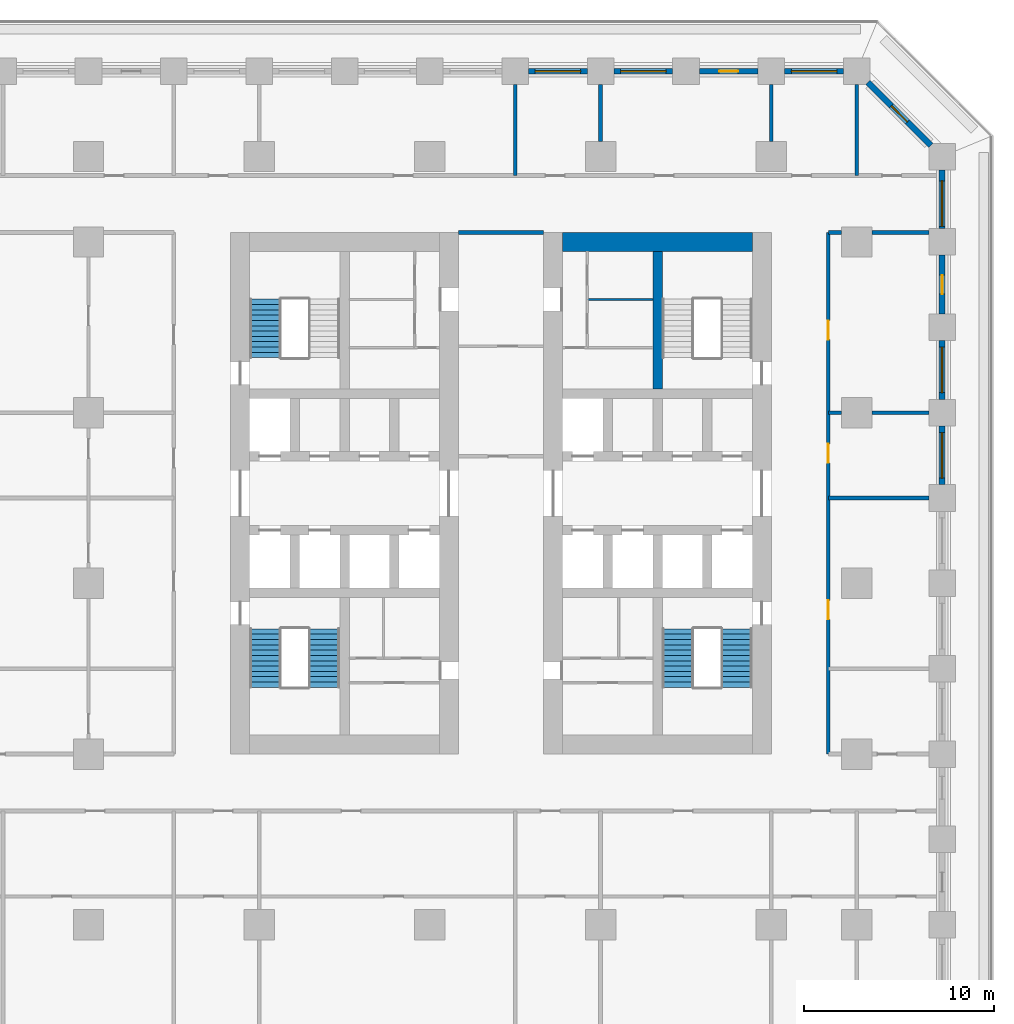
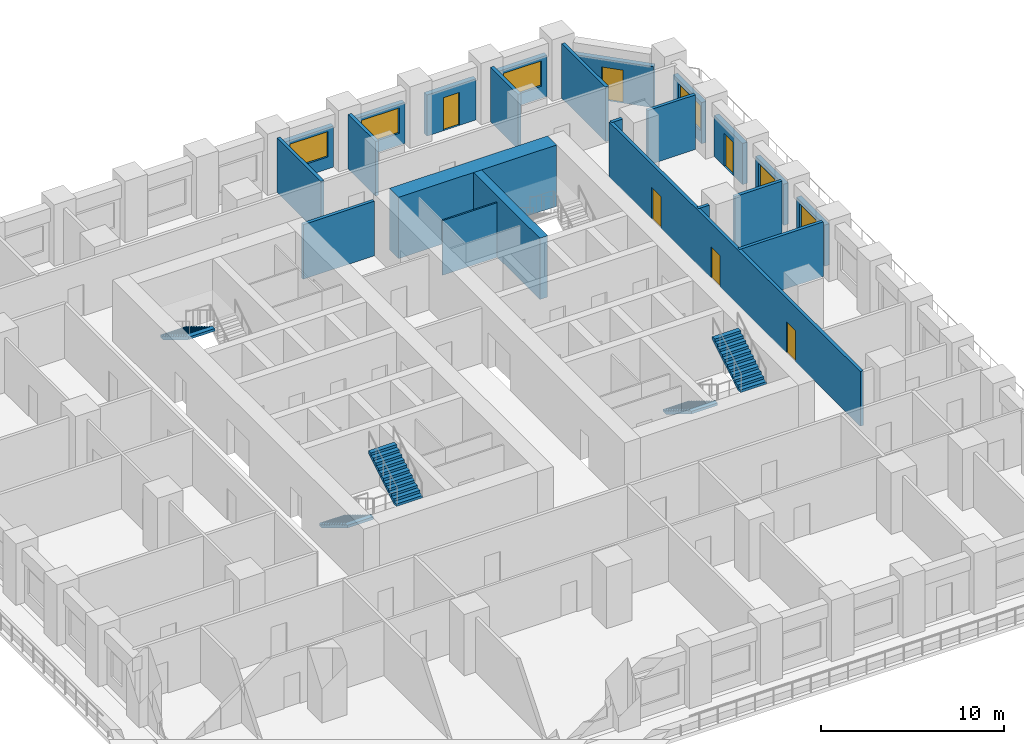
# One storey, part 8 of 12: 23 walls, 6 doors, 6 windows, 5 stair flights, 12 openings, 3 elements without a shape of their own.
"""IFC4 building model written with IfcOpenShell, lengths in metres."""

from ifc_helpers import new_model, si_unit, direction, frame, frame_2d, origin, place, context, subcontext, project, spatial, polyline, rectangle, outline, extrude, material, layer, layer_set, type_object, element, fill, aggregate, save


model = new_model("IFC4")

# Units and contexts
model_context = context("Model", 3, precision=1e-05, world=origin(), true_north=direction((0.0, 1.0)))
body_context = subcontext(model_context, "Body", "Model", "MODEL_VIEW")
ifc_project = project(units=[si_unit("LENGTHUNIT", "METRE"), si_unit("AREAUNIT", "SQUARE_METRE"), si_unit("VOLUMEUNIT", "CUBIC_METRE"), si_unit("PLANEANGLEUNIT", "RADIAN"), si_unit("MASSUNIT", "GRAM", prefix="KILO")], contexts=[model_context])

# Site, building, storey
site_placement = place(None, origin())
site = spatial("IfcSite", under=ifc_project, at=site_placement, CompositionType="ELEMENT")
building_placement = place(site_placement, origin())
building = spatial("IfcBuilding", under=site, at=building_placement, Name="Corbel Stack Research Tower", CompositionType="ELEMENT")
storey_placement = place(building_placement, frame((0.0, 0.0, 27.699951171875)))
storey = spatial("IfcBuildingStorey", under=building, at=storey_placement, Name="L06", CompositionType="ELEMENT", Elevation=27.699951171875)

# Walls
ifc_material_1 = material(Name="Concrete C70/85", Category="concrete")
ifc_layer_1 = layer(ifc_material_1, 1.0)
ifc_layer_set_1 = layer_set([ifc_layer_1], Name="Concrete C70/85")
wall_type_1 = type_object("IfcWallType", Name="CW-1000-70", PredefinedType="SHEAR", material=ifc_layer_set_1)
wall_1_placement = place(storey_placement, frame((7.0, 18.0, 0.0), z_axis=(0.0, 0.0, 1.0), x_axis=(1.0, 0.0, 0.0)))
element("IfcWall", 1, at=wall_1_placement, inside=storey, type_object=wall_type_1, Name="East core wall, north end L06", PredefinedType="SHEAR", context=body_context, shape_type="SweptSolid", body=[
    extrude(rectangle(XDim=10.0, YDim=1.0, at=frame_2d((5.0, 0.0))), origin(), (0.0, 0.0, 1.0), 4.10009765625),
])
ifc_material_2 = material(Name="Concrete C70/85", Category="concrete")
ifc_layer_2 = layer(ifc_material_2, 0.5)
ifc_layer_set_2 = layer_set([ifc_layer_2], Name="Concrete C70/85")
wall_type_2 = type_object("IfcWallType", Name="CW-500-70", PredefinedType="SHEAR", material=ifc_layer_set_2)
wall_2_placement = place(storey_placement, frame((12.0, 10.25, 0.0), z_axis=(0.0, 0.0, 1.0), x_axis=(0.0, 1.0, 0.0)))
element("IfcWall", 2, at=wall_2_placement, inside=storey, type_object=wall_type_2, Name="East core wall, north stair and riser L06", PredefinedType="SHEAR", context=body_context, shape_type="SweptSolid", body=[
    extrude(rectangle(XDim=7.25, YDim=0.5, at=frame_2d((3.625, 0.0))), origin(), (0.0, 0.0, 1.0), 4.10009765625),
])
ifc_material_3 = material(Name="Gypsum board")
ifc_layer_3 = layer(ifc_material_3, 0.10009765625)
ifc_layer_set_3 = layer_set([ifc_layer_3], Name="Gypsum board")
wall_type_3 = type_object("IfcWallType", Name="Core partition 100", PredefinedType="PARTITIONING", material=ifc_layer_set_3)
wall_3_placement = place(storey_placement, frame((8.300048828125, 14.96240234375, 0.0), z_axis=(0.0, 0.0, 1.0), x_axis=(1.0, 0.0, 0.0)))
element("IfcWall", 3, at=wall_3_placement, inside=storey, type_object=wall_type_3, Name="Core partition E", PredefinedType="PARTITIONING", context=body_context, shape_type="SweptSolid", body=[
    extrude(rectangle(XDim=3.449951171875, YDim=0.10009765625, at=frame_2d((1.72509765625, 0.0))), origin(), (0.0, 0.0, 1.0), 3.650146484375),
])
ifc_material_4 = material(Name="Fire-rated gypsum board partition on steel studs", Category="steel")
ifc_layer_4 = layer(ifc_material_4, 0.199951171875)
ifc_layer_set_4 = layer_set([ifc_layer_4], Name="Fire-rated gypsum board partition on steel studs")
wall_type_4 = type_object("IfcWallType", Name="Fire-rated partition 200 EI 60", PredefinedType="PARTITIONING", material=ifc_layer_set_4)
wall_4_placement = place(storey_placement, frame((4.5, 21.5, 0.0), z_axis=(0.0, 0.0, 1.0), x_axis=(0.0, 1.0, 0.0)))
element("IfcWall", 4, at=wall_4_placement, inside=storey, type_object=wall_type_4, Name="Partition L06-013", PredefinedType="PARTITIONING", context=body_context, shape_type="SweptSolid", body=[
    extrude(rectangle(XDim=4.800048828125, YDim=0.199951171875, at=frame_2d((2.39990234375, 0.0))), origin(), (0.0, 0.0, 1.0), 3.650146484375),
])
for number, where, z_axis, x_axis, name in (
    (5, (9.0, 23.300048828125, 0.0), (0.0, 0.0, 1.0), (0.0, 1.0, 0.0), "Partition L06-016"),
    (6, (18.0, 23.300048828125, 0.0), (0.0, 0.0, 1.0), (0.0, 1.0, 0.0), "Partition L06-019"),
):
    element("IfcWall", number, at=place(storey_placement, frame(where, z_axis=z_axis, x_axis=x_axis)), inside=storey, type_object=wall_type_4, Name=name, PredefinedType="PARTITIONING", context=body_context, shape_type="SweptSolid", body=[
        extrude(rectangle(XDim=3.0, YDim=0.199951171875, at=frame_2d((1.5, 0.0))), origin(), (0.0, 0.0, 1.0), 3.650146484375),
    ])

# Wall, openings, doors
wall_5_placement = place(storey_placement, frame((21.0, 18.5, 0.0), z_axis=(0.0, 0.0, 1.0), x_axis=(0.0, -1.0, 0.0)))
wall_5 = element("IfcWall", 7, at=wall_5_placement, inside=storey, type_object=wall_type_4, Name="Partition L06-020", PredefinedType="PARTITIONING", context=body_context, shape_type="SweptSolid", body=[
    extrude(rectangle(XDim=27.5, YDim=0.199951171875, at=frame_2d((13.75, 0.0))), origin(), (0.0, 0.0, 1.0), 3.650146484375),
])
opening_1_placement = place(wall_5_placement, frame((19.39990234375, 0.0, 0.0)))
opening_1 = element("IfcOpeningElement", 8, at=opening_1_placement, cuts=wall_5, Name="Opening B1V1-028", PredefinedType="OPENING", context=body_context, shape_type="SweptSolid", body=[
    extrude(rectangle(XDim=1.0, YDim=2.10009765625, at=frame_2d((0.5, 1.050048828125))), frame((0.0, 0.10986328125, 0.0), z_axis=(0.0, -1.0, 0.0), x_axis=(1.0, 0.0, 0.0)), (0.0, 0.0, 1.0), 0.219970703125),
])
opening_2_placement = place(wall_5_placement, frame((11.14990234375, 0.0, 0.0)))
opening_2 = element("IfcOpeningElement", 9, at=opening_2_placement, cuts=wall_5, Name="Opening B1V1-029", PredefinedType="OPENING", context=body_context, shape_type="SweptSolid", body=[
    extrude(rectangle(XDim=1.0, YDim=2.10009765625, at=frame_2d((0.5, 1.050048828125))), frame((0.0, 0.10986328125, 0.0), z_axis=(0.0, -1.0, 0.0), x_axis=(1.0, 0.0, 0.0)), (0.0, 0.0, 1.0), 0.219970703125),
])
opening_3_placement = place(wall_5_placement, frame((4.64990234375, 0.0, 0.0)))
opening_3 = element("IfcOpeningElement", 10, at=opening_3_placement, cuts=wall_5, Name="Opening B1V1-030", PredefinedType="OPENING", context=body_context, shape_type="SweptSolid", body=[
    extrude(rectangle(XDim=1.0, YDim=2.10009765625, at=frame_2d((0.5, 1.050048828125))), frame((0.0, 0.10986328125, 0.0), z_axis=(0.0, -1.0, 0.0), x_axis=(1.0, 0.0, 0.0)), (0.0, 0.0, 1.0), 0.219970703125),
])
ifc_material_5 = material(Name="Painted steel fire door", Category="steel")
door_type_1 = type_object("IfcDoorType", Name="Fire door FD30S 1000 x 2100", OperationType="NOTDEFINED", PredefinedType="DOOR", material=ifc_material_5)
door_1_placement = place(opening_1_placement, origin())
door_1 = element("IfcDoor", 11, at=door_1_placement, inside=storey, type_object=door_type_1, Name="Door B1V1-028", OperationType="SINGLE_SWING_RIGHT", OverallHeight=2.10009765625, OverallWidth=1.0, PredefinedType="DOOR", context=body_context, shape_type="SweptSolid", body=[
    extrude(rectangle(XDim=1.0, YDim=2.10009765625, at=frame_2d((0.5, 1.050048828125))), frame((0.0, 0.02490234375, 0.0), z_axis=(0.0, -1.0, 0.0), x_axis=(1.0, 0.0, 0.0)), (0.0, 0.0, 1.0), 0.050048828125),
])
fill(opening_1, door_1)
door_2_placement = place(opening_2_placement, origin())
door_2 = element("IfcDoor", 12, at=door_2_placement, inside=storey, type_object=door_type_1, Name="Door B1V1-029", OperationType="SINGLE_SWING_LEFT", OverallHeight=2.10009765625, OverallWidth=1.0, PredefinedType="DOOR", context=body_context, shape_type="SweptSolid", body=[
    extrude(rectangle(XDim=1.0, YDim=2.10009765625, at=frame_2d((0.5, 1.050048828125))), frame((0.0, 0.02490234375, 0.0), z_axis=(0.0, -1.0, 0.0), x_axis=(1.0, 0.0, 0.0)), (0.0, 0.0, 1.0), 0.050048828125),
])
fill(opening_2, door_2)
door_3_placement = place(opening_3_placement, origin())
door_3 = element("IfcDoor", 13, at=door_3_placement, inside=storey, type_object=door_type_1, Name="Door B1V1-030", OperationType="SINGLE_SWING_LEFT", OverallHeight=2.10009765625, OverallWidth=1.0, PredefinedType="DOOR", context=body_context, shape_type="SweptSolid", body=[
    extrude(rectangle(XDim=1.0, YDim=2.10009765625, at=frame_2d((0.5, 1.050048828125))), frame((0.0, 0.02490234375, 0.0), z_axis=(0.0, -1.0, 0.0), x_axis=(1.0, 0.0, 0.0)), (0.0, 0.0, 1.0), 0.050048828125),
])
fill(opening_3, door_3)

# Walls
wall_6_placement = place(storey_placement, frame((22.5, 21.5, 0.0), z_axis=(0.0, 0.0, 1.0), x_axis=(0.0, 1.0, 0.0)))
element("IfcWall", 14, at=wall_6_placement, inside=storey, type_object=wall_type_4, Name="Partition L06-023", PredefinedType="PARTITIONING", context=body_context, shape_type="SweptSolid", body=[
    extrude(rectangle(XDim=4.800048828125, YDim=0.199951171875, at=frame_2d((2.39990234375, 0.0))), origin(), (0.0, 0.0, 1.0), 3.650146484375),
])
wall_7_placement = place(storey_placement, frame((21.0, 4.5, 0.0), z_axis=(0.0, 0.0, 1.0), x_axis=(1.0, 0.0, 0.0)))
element("IfcWall", 15, at=wall_7_placement, inside=storey, type_object=wall_type_4, Name="Partition L06-033", PredefinedType="PARTITIONING", context=body_context, shape_type="SweptSolid", body=[
    extrude(rectangle(XDim=5.300048828125, YDim=0.199951171875, at=frame_2d((2.64990234375, 0.0))), origin(), (0.0, 0.0, 1.0), 3.650146484375),
])
wall_8_placement = place(storey_placement, frame((21.0, 9.0, 0.0), z_axis=(0.0, 0.0, 1.0), x_axis=(1.0, 0.0, 0.0)))
element("IfcWall", 16, at=wall_8_placement, inside=storey, type_object=wall_type_4, Name="Partition L06-037", PredefinedType="PARTITIONING", context=body_context, shape_type="SweptSolid", body=[
    extrude(rectangle(XDim=0.699951171875, YDim=0.199951171875, at=frame_2d((0.35009765625, 0.0))), origin(), (0.0, 0.0, 1.0), 3.650146484375),
])
wall_9_placement = place(storey_placement, frame((23.300048828125, 9.0, 0.0), z_axis=(0.0, 0.0, 1.0), x_axis=(1.0, 0.0, 0.0)))
element("IfcWall", 17, at=wall_9_placement, inside=storey, type_object=wall_type_4, Name="Partition L06-038", PredefinedType="PARTITIONING", context=body_context, shape_type="SweptSolid", body=[
    extrude(rectangle(XDim=3.0, YDim=0.199951171875, at=frame_2d((1.5, 0.0))), origin(), (0.0, 0.0, 1.0), 3.650146484375),
])
wall_10_placement = place(storey_placement, frame((1.5, 18.5, 0.0), z_axis=(0.0, 0.0, 1.0), x_axis=(1.0, 0.0, 0.0)))
element("IfcWall", 18, at=wall_10_placement, inside=storey, type_object=wall_type_4, Name="Partition L06-042", PredefinedType="PARTITIONING", context=body_context, shape_type="SweptSolid", body=[
    extrude(rectangle(XDim=4.5, YDim=0.199951171875, at=frame_2d((2.25, 0.0))), origin(), (0.0, 0.0, 1.0), 3.650146484375),
])
wall_11_placement = place(storey_placement, frame((21.0, 18.5, 0.0), z_axis=(0.0, 0.0, 1.0), x_axis=(1.0, 0.0, 0.0)))
element("IfcWall", 19, at=wall_11_placement, inside=storey, type_object=wall_type_4, Name="Partition L06-043", PredefinedType="PARTITIONING", context=body_context, shape_type="SweptSolid", body=[
    extrude(rectangle(XDim=0.699951171875, YDim=0.199951171875, at=frame_2d((0.35009765625, 0.0))), origin(), (0.0, 0.0, 1.0), 3.650146484375),
])
wall_12_placement = place(storey_placement, frame((23.300048828125, 18.5, 0.0), z_axis=(0.0, 0.0, 1.0), x_axis=(1.0, 0.0, 0.0)))
element("IfcWall", 20, at=wall_12_placement, inside=storey, type_object=wall_type_4, Name="Partition L06-044", PredefinedType="PARTITIONING", context=body_context, shape_type="SweptSolid", body=[
    extrude(rectangle(XDim=3.0, YDim=0.199951171875, at=frame_2d((1.5, 0.0))), origin(), (0.0, 0.0, 1.0), 3.650146484375),
])

# Wall, opening, window
ifc_material_6 = material(Name="Concrete C45/55", Category="concrete")
ifc_layer_5 = layer(ifc_material_6, 0.300048828125)
ifc_layer_set_5 = layer_set([ifc_layer_5], Name="Concrete C45/55")
wall_type_5 = type_object("IfcWallType", Name="Terracotta-faced concrete wall 300", PredefinedType="SOLIDWALL", material=ifc_layer_set_5)
wall_13_placement = place(storey_placement, frame((27.0, 8.300048828125, 0.0), z_axis=(0.0, 0.0, 1.0), x_axis=(0.0, -1.0, 0.0)))
wall_13 = element("IfcWall", 21, at=wall_13_placement, inside=storey, type_object=wall_type_5, Name="Facade wall L06 E07", PredefinedType="SOLIDWALL", context=body_context, shape_type="SweptSolid", body=[
    extrude(rectangle(XDim=3.10009765625, YDim=0.300048828125, at=frame_2d((1.550048828125, 0.0))), origin(), (0.0, 0.0, 1.0), 2.75),
])
opening_4_placement = place(wall_13_placement, frame((0.35009765625, 0.0, 0.800048828125)))
opening_4 = element("IfcOpeningElement", 22, at=opening_4_placement, cuts=wall_13, Name="Opening W1", PredefinedType="OPENING", context=body_context, shape_type="SweptSolid", body=[
    extrude(rectangle(XDim=2.39990234375, YDim=1.699951171875, at=frame_2d((1.199951171875, 0.85009765625))), frame((0.0, 0.159912109375, 0.0), z_axis=(0.0, -1.0, 0.0), x_axis=(1.0, 0.0, 0.0)), (0.0, 0.0, 1.0), 0.320068359375),
])
ifc_material_7 = material(Name="Aluminium frame, clear double glazing", Category="aluminium")
window_type = type_object("IfcWindowType", Name="Window W1 2400 x 1700", PartitioningType="SINGLE_PANEL", PredefinedType="WINDOW", material=ifc_material_7)
window_1_placement = place(opening_4_placement, origin())
window_1 = element("IfcWindow", 23, at=window_1_placement, inside=storey, type_object=window_type, Name="Window W1 L06 E07", OverallHeight=1.699951171875, OverallWidth=2.39990234375, PartitioningType="SINGLE_PANEL", PredefinedType="WINDOW", context=body_context, shape_type="SweptSolid", body=[
    extrude(rectangle(XDim=2.39990234375, YDim=1.699951171875, at=frame_2d((1.199951171875, 0.85009765625))), frame((0.0, 0.030029296875, 0.0), z_axis=(0.0, -1.0, 0.0), x_axis=(1.0, 0.0, 0.0)), (0.0, 0.0, 1.0), 0.06005859375),
])
fill(opening_4, window_1)

wall_14_placement = place(storey_placement, frame((27.0, 12.800048828125, 0.0), z_axis=(0.0, 0.0, 1.0), x_axis=(0.0, -1.0, 0.0)))
wall_14 = element("IfcWall", 24, at=wall_14_placement, inside=storey, type_object=wall_type_5, Name="Facade wall L06 E08", PredefinedType="SOLIDWALL", context=body_context, shape_type="SweptSolid", body=[
    extrude(rectangle(XDim=3.10009765625, YDim=0.300048828125, at=frame_2d((1.550048828125, 0.0))), origin(), (0.0, 0.0, 1.0), 2.75),
])
opening_5_placement = place(wall_14_placement, frame((0.35009765625, 0.0, 0.800048828125)))
opening_5 = element("IfcOpeningElement", 25, at=opening_5_placement, cuts=wall_14, Name="Opening W1", PredefinedType="OPENING", context=body_context, shape_type="SweptSolid", body=[
    extrude(rectangle(XDim=2.39990234375, YDim=1.699951171875, at=frame_2d((1.199951171875, 0.85009765625))), frame((0.0, 0.159912109375, 0.0), z_axis=(0.0, -1.0, 0.0), x_axis=(1.0, 0.0, 0.0)), (0.0, 0.0, 1.0), 0.320068359375),
])
window_2_placement = place(opening_5_placement, origin())
window_2 = element("IfcWindow", 26, at=window_2_placement, inside=storey, type_object=window_type, Name="Window W1 L06 E08", OverallHeight=1.699951171875, OverallWidth=2.39990234375, PartitioningType="SINGLE_PANEL", PredefinedType="WINDOW", context=body_context, shape_type="SweptSolid", body=[
    extrude(rectangle(XDim=2.39990234375, YDim=1.699951171875, at=frame_2d((1.199951171875, 0.85009765625))), frame((0.0, 0.030029296875, 0.0), z_axis=(0.0, -1.0, 0.0), x_axis=(1.0, 0.0, 0.0)), (0.0, 0.0, 1.0), 0.06005859375),
])
fill(opening_5, window_2)

# Wall, opening, door
wall_15_placement = place(storey_placement, frame((27.0, 17.300048828125, 0.0), z_axis=(0.0, 0.0, 1.0), x_axis=(0.0, -1.0, 0.0)))
wall_15 = element("IfcWall", 27, at=wall_15_placement, inside=storey, type_object=wall_type_5, Name="Facade wall L06 E09", PredefinedType="SOLIDWALL", context=body_context, shape_type="SweptSolid", body=[
    extrude(rectangle(XDim=3.10009765625, YDim=0.300048828125, at=frame_2d((1.550048828125, 0.0))), origin(), (0.0, 0.0, 1.0), 2.75),
])
opening_6_placement = place(wall_15_placement, frame((1.050048828125, 0.0, 0.0)))
opening_6 = element("IfcOpeningElement", 28, at=opening_6_placement, cuts=wall_15, Name="Opening L06-B05", PredefinedType="OPENING", context=body_context, shape_type="SweptSolid", body=[
    extrude(rectangle(XDim=1.0, YDim=2.199951171875, at=frame_2d((0.5, 1.10009765625))), frame((0.0, 0.159912109375, 0.0), z_axis=(0.0, -1.0, 0.0), x_axis=(1.0, 0.0, 0.0)), (0.0, 0.0, 1.0), 0.320068359375),
])
ifc_material_8 = material(Name="Aluminium frame, clear double glazing", Category="aluminium")
door_type_2 = type_object("IfcDoorType", Name="Balcony door BD1 1000 x 2200", OperationType="NOTDEFINED", PredefinedType="DOOR", material=ifc_material_8)
door_4_placement = place(opening_6_placement, origin())
door_4 = element("IfcDoor", 29, at=door_4_placement, inside=storey, type_object=door_type_2, Name="Balcony door L06-B05", OperationType="SINGLE_SWING_LEFT", OverallHeight=2.199951171875, OverallWidth=1.0, PredefinedType="DOOR", context=body_context, shape_type="SweptSolid", body=[
    extrude(rectangle(XDim=1.0, YDim=2.199951171875, at=frame_2d((0.5, 1.10009765625))), frame((0.0, 0.02490234375, 0.0), z_axis=(0.0, -1.0, 0.0), x_axis=(1.0, 0.0, 0.0)), (0.0, 0.0, 1.0), 0.050048828125),
])
fill(opening_6, door_4)

# Wall, opening, window
wall_16_placement = place(storey_placement, frame((27.0, 21.800048828125, 0.0), z_axis=(0.0, 0.0, 1.0), x_axis=(0.0, -1.0, 0.0)))
wall_16 = element("IfcWall", 30, at=wall_16_placement, inside=storey, type_object=wall_type_5, Name="Facade wall L06 E10", PredefinedType="SOLIDWALL", context=body_context, shape_type="SweptSolid", body=[
    extrude(rectangle(XDim=3.10009765625, YDim=0.300048828125, at=frame_2d((1.550048828125, 0.0))), origin(), (0.0, 0.0, 1.0), 2.75),
])
opening_7_placement = place(wall_16_placement, frame((0.574951171875, 0.0, 0.800048828125)))
opening_7 = element("IfcOpeningElement", 31, at=opening_7_placement, cuts=wall_16, Name="Opening W1", PredefinedType="OPENING", context=body_context, shape_type="SweptSolid", body=[
    extrude(rectangle(XDim=2.39990234375, YDim=1.699951171875, at=frame_2d((1.199951171875, 0.85009765625))), frame((0.0, 0.159912109375, 0.0), z_axis=(0.0, -1.0, 0.0), x_axis=(1.0, 0.0, 0.0)), (0.0, 0.0, 1.0), 0.320068359375),
])
window_3_placement = place(opening_7_placement, origin())
window_3 = element("IfcWindow", 32, at=window_3_placement, inside=storey, type_object=window_type, Name="Window W1 L06 E10", OverallHeight=1.699951171875, OverallWidth=2.39990234375, PartitioningType="SINGLE_PANEL", PredefinedType="WINDOW", context=body_context, shape_type="SweptSolid", body=[
    extrude(rectangle(XDim=2.39990234375, YDim=1.699951171875, at=frame_2d((1.199951171875, 0.85009765625))), frame((0.0, 0.030029296875, 0.0), z_axis=(0.0, -1.0, 0.0), x_axis=(1.0, 0.0, 0.0)), (0.0, 0.0, 1.0), 0.06005859375),
])
fill(opening_7, window_3)

# Wall, opening, door
wall_17_placement = place(storey_placement, frame((23.093994140625, 26.406005859375, 0.0), z_axis=(0.0, 0.0, 1.0), x_axis=(0.707106781187, -0.707106781187, 0.0)))
wall_17 = element("IfcWall", 33, at=wall_17_placement, inside=storey, type_object=wall_type_5, Name="Facade wall L06 NE01", PredefinedType="SOLIDWALL", context=body_context, shape_type="SweptSolid", body=[
    extrude(rectangle(XDim=4.683837890625, YDim=0.300048828125, at=frame_2d((2.341796875, 0.0))), origin(), (0.0, 0.0, 1.0), 2.75),
])
opening_8_placement = place(wall_17_placement, frame((1.741943359375, 0.0, 0.0)))
opening_8 = element("IfcOpeningElement", 34, at=opening_8_placement, cuts=wall_17, Name="Opening L06-B06", PredefinedType="OPENING", context=body_context, shape_type="SweptSolid", body=[
    extrude(rectangle(XDim=1.199951171875, YDim=2.199951171875, at=frame_2d((0.60009765625, 1.10009765625))), frame((0.0, 0.159912109375, 0.0), z_axis=(0.0, -1.0, 0.0), x_axis=(1.0, 0.0, 0.0)), (0.0, 0.0, 1.0), 0.320068359375),
])
ifc_material_9 = material(Name="Aluminium frame, clear double glazing", Category="aluminium")
door_type_3 = type_object("IfcDoorType", Name="Balcony door BD2 1200 x 2200", OperationType="NOTDEFINED", PredefinedType="DOOR", material=ifc_material_9)
door_5_placement = place(opening_8_placement, origin())
door_5 = element("IfcDoor", 35, at=door_5_placement, inside=storey, type_object=door_type_3, Name="Balcony door L06-B06", OperationType="SINGLE_SWING_LEFT", OverallHeight=2.199951171875, OverallWidth=1.199951171875, PredefinedType="DOOR", context=body_context, shape_type="SweptSolid", body=[
    extrude(rectangle(XDim=1.199951171875, YDim=2.199951171875, at=frame_2d((0.60009765625, 1.10009765625))), frame((0.0, 0.02490234375, 0.0), z_axis=(0.0, -1.0, 0.0), x_axis=(1.0, 0.0, 0.0)), (0.0, 0.0, 1.0), 0.050048828125),
])
fill(opening_8, door_5)

# Wall, opening, window
wall_18_placement = place(storey_placement, frame((18.699951171875, 27.0, 0.0), z_axis=(0.0, 0.0, 1.0), x_axis=(1.0, 0.0, 0.0)))
wall_18 = element("IfcWall", 36, at=wall_18_placement, inside=storey, type_object=wall_type_5, Name="Facade wall L06 N01", PredefinedType="SOLIDWALL", context=body_context, shape_type="SweptSolid", body=[
    extrude(rectangle(XDim=3.10009765625, YDim=0.300048828125, at=frame_2d((1.550048828125, 0.0))), origin(), (0.0, 0.0, 1.0), 2.75),
])
opening_9_placement = place(wall_18_placement, frame((0.35009765625, 0.0, 0.800048828125)))
opening_9 = element("IfcOpeningElement", 37, at=opening_9_placement, cuts=wall_18, Name="Opening W1", PredefinedType="OPENING", context=body_context, shape_type="SweptSolid", body=[
    extrude(rectangle(XDim=2.39990234375, YDim=1.699951171875, at=frame_2d((1.199951171875, 0.85009765625))), frame((0.0, 0.159912109375, 0.0), z_axis=(0.0, -1.0, 0.0), x_axis=(1.0, 0.0, 0.0)), (0.0, 0.0, 1.0), 0.320068359375),
])
window_4_placement = place(opening_9_placement, origin())
window_4 = element("IfcWindow", 38, at=window_4_placement, inside=storey, type_object=window_type, Name="Window W1 L06 N01", OverallHeight=1.699951171875, OverallWidth=2.39990234375, PartitioningType="SINGLE_PANEL", PredefinedType="WINDOW", context=body_context, shape_type="SweptSolid", body=[
    extrude(rectangle(XDim=2.39990234375, YDim=1.699951171875, at=frame_2d((1.199951171875, 0.85009765625))), frame((0.0, 0.030029296875, 0.0), z_axis=(0.0, -1.0, 0.0), x_axis=(1.0, 0.0, 0.0)), (0.0, 0.0, 1.0), 0.06005859375),
])
fill(opening_9, window_4)

# Wall, opening, door
wall_19_placement = place(storey_placement, frame((14.199951171875, 27.0, 0.0), z_axis=(0.0, 0.0, 1.0), x_axis=(1.0, 0.0, 0.0)))
wall_19 = element("IfcWall", 39, at=wall_19_placement, inside=storey, type_object=wall_type_5, Name="Facade wall L06 N02", PredefinedType="SOLIDWALL", context=body_context, shape_type="SweptSolid", body=[
    extrude(rectangle(XDim=3.10009765625, YDim=0.300048828125, at=frame_2d((1.550048828125, 0.0))), origin(), (0.0, 0.0, 1.0), 2.75),
])
opening_10_placement = place(wall_19_placement, frame((1.050048828125, 0.0, 0.0)))
opening_10 = element("IfcOpeningElement", 40, at=opening_10_placement, cuts=wall_19, Name="Opening L06-B07", PredefinedType="OPENING", context=body_context, shape_type="SweptSolid", body=[
    extrude(rectangle(XDim=1.0, YDim=2.199951171875, at=frame_2d((0.5, 1.10009765625))), frame((0.0, 0.159912109375, 0.0), z_axis=(0.0, -1.0, 0.0), x_axis=(1.0, 0.0, 0.0)), (0.0, 0.0, 1.0), 0.320068359375),
])
door_6_placement = place(opening_10_placement, origin())
door_6 = element("IfcDoor", 41, at=door_6_placement, inside=storey, type_object=door_type_2, Name="Balcony door L06-B07", OperationType="SINGLE_SWING_RIGHT", OverallHeight=2.199951171875, OverallWidth=1.0, PredefinedType="DOOR", context=body_context, shape_type="SweptSolid", body=[
    extrude(rectangle(XDim=1.0, YDim=2.199951171875, at=frame_2d((0.5, 1.10009765625))), frame((0.0, 0.02490234375, 0.0), z_axis=(0.0, -1.0, 0.0), x_axis=(1.0, 0.0, 0.0)), (0.0, 0.0, 1.0), 0.050048828125),
])
fill(opening_10, door_6)

# Wall, opening, window
wall_20_placement = place(storey_placement, frame((9.699951171875, 27.0, 0.0), z_axis=(0.0, 0.0, 1.0), x_axis=(1.0, 0.0, 0.0)))
wall_20 = element("IfcWall", 42, at=wall_20_placement, inside=storey, type_object=wall_type_5, Name="Facade wall L06 N03", PredefinedType="SOLIDWALL", context=body_context, shape_type="SweptSolid", body=[
    extrude(rectangle(XDim=3.10009765625, YDim=0.300048828125, at=frame_2d((1.550048828125, 0.0))), origin(), (0.0, 0.0, 1.0), 2.75),
])
opening_11_placement = place(wall_20_placement, frame((0.35009765625, 0.0, 0.800048828125)))
opening_11 = element("IfcOpeningElement", 43, at=opening_11_placement, cuts=wall_20, Name="Opening W1", PredefinedType="OPENING", context=body_context, shape_type="SweptSolid", body=[
    extrude(rectangle(XDim=2.39990234375, YDim=1.699951171875, at=frame_2d((1.199951171875, 0.85009765625))), frame((0.0, 0.159912109375, 0.0), z_axis=(0.0, -1.0, 0.0), x_axis=(1.0, 0.0, 0.0)), (0.0, 0.0, 1.0), 0.320068359375),
])
window_5_placement = place(opening_11_placement, origin())
window_5 = element("IfcWindow", 44, at=window_5_placement, inside=storey, type_object=window_type, Name="Window W1 L06 N03", OverallHeight=1.699951171875, OverallWidth=2.39990234375, PartitioningType="SINGLE_PANEL", PredefinedType="WINDOW", context=body_context, shape_type="SweptSolid", body=[
    extrude(rectangle(XDim=2.39990234375, YDim=1.699951171875, at=frame_2d((1.199951171875, 0.85009765625))), frame((0.0, 0.030029296875, 0.0), z_axis=(0.0, -1.0, 0.0), x_axis=(1.0, 0.0, 0.0)), (0.0, 0.0, 1.0), 0.06005859375),
])
fill(opening_11, window_5)

wall_21_placement = place(storey_placement, frame((5.199951171875, 27.0, 0.0), z_axis=(0.0, 0.0, 1.0), x_axis=(1.0, 0.0, 0.0)))
wall_21 = element("IfcWall", 45, at=wall_21_placement, inside=storey, type_object=wall_type_5, Name="Facade wall L06 N04", PredefinedType="SOLIDWALL", context=body_context, shape_type="SweptSolid", body=[
    extrude(rectangle(XDim=3.10009765625, YDim=0.300048828125, at=frame_2d((1.550048828125, 0.0))), origin(), (0.0, 0.0, 1.0), 2.75),
])
opening_12_placement = place(wall_21_placement, frame((0.35009765625, 0.0, 0.800048828125)))
opening_12 = element("IfcOpeningElement", 46, at=opening_12_placement, cuts=wall_21, Name="Opening W1", PredefinedType="OPENING", context=body_context, shape_type="SweptSolid", body=[
    extrude(rectangle(XDim=2.39990234375, YDim=1.699951171875, at=frame_2d((1.199951171875, 0.85009765625))), frame((0.0, 0.159912109375, 0.0), z_axis=(0.0, -1.0, 0.0), x_axis=(1.0, 0.0, 0.0)), (0.0, 0.0, 1.0), 0.320068359375),
])
window_6_placement = place(opening_12_placement, origin())
window_6 = element("IfcWindow", 47, at=window_6_placement, inside=storey, type_object=window_type, Name="Window W1 L06 N04", OverallHeight=1.699951171875, OverallWidth=2.39990234375, PartitioningType="SINGLE_PANEL", PredefinedType="WINDOW", context=body_context, shape_type="SweptSolid", body=[
    extrude(rectangle(XDim=2.39990234375, YDim=1.699951171875, at=frame_2d((1.199951171875, 0.85009765625))), frame((0.0, 0.030029296875, 0.0), z_axis=(0.0, -1.0, 0.0), x_axis=(1.0, 0.0, 0.0)), (0.0, 0.0, 1.0), 0.06005859375),
])
fill(opening_12, window_6)

# Stair, stair flights
ifc_material_10 = material(Name="Concrete C40/50", Category="concrete")
stair_type = type_object("IfcStairType", Name="Exit stair 24 risers", PredefinedType="HALF_TURN_STAIR", material=ifc_material_10)
stair_1_placement = place(storey_placement, origin())
stair_1 = element("IfcStair", 48, at=stair_1_placement, inside=storey, type_object=stair_type, Name="L06 Exit stair ST-W1", PredefinedType="HALF_TURN_STAIR")
ifc_material_11 = material(Name="Concrete C40/50", Category="concrete")
stair_flight_type = type_object("IfcStairFlightType", Name="Stair flight 12 risers", PredefinedType="STRAIGHT", material=ifc_material_11)
stair_flight_1_placement = place(storey_placement, frame((-8.675048828125, -2.39990234375, 0.0), z_axis=(0.0, 0.0, 1.0), x_axis=(0.0, -1.0, 0.0)))
stair_flight_1 = element("IfcStairFlight", 49, at=stair_flight_1_placement, type_object=stair_flight_type, Name="ST-W1 flight 1", NumberOfRisers=12, NumberOfTreads=11, PredefinedType="STRAIGHT", RiserHeight=0.170833333, TreadLength=0.28, context=body_context, shape_type="SweptSolid", body=[
    extrude(outline(polyline([(0.0, 0.0), (0.0, 0.1708984375), (0.280029296875, 0.1708984375), (0.280029296875, 0.341552734375), (0.56005859375, 0.341552734375), (0.56005859375, 0.512451171875), (0.840087890625, 0.512451171875), (0.840087890625, 0.683349609375), (1.1201171875, 0.683349609375), (1.1201171875, 0.854248046875), (1.39990234375, 0.854248046875), (1.39990234375, 1.02490234375), (1.679931640625, 1.02490234375), (1.679931640625, 1.19580078125), (1.9599609375, 1.19580078125), (1.9599609375, 1.36669921875), (2.239990234375, 1.36669921875), (2.239990234375, 1.53759765625), (2.52001953125, 1.53759765625), (2.52001953125, 1.708251953125), (2.800048828125, 1.708251953125), (2.800048828125, 1.879150390625), (3.080078125, 1.879150390625), (3.080078125, 2.050048828125), (3.080078125, 1.70361328125), (0.287841796875, 0.0), (0.0, 0.0)])), frame((0.0, 0.824951171875, 0.0), z_axis=(0.0, -1.0, 0.0), x_axis=(1.0, 0.0, 0.0)), (0.0, 0.0, 1.0), 1.64990234375),
])
stair_flight_2_placement = place(storey_placement, frame((-5.574951171875, -5.47998046875, 2.050048828125), z_axis=(0.0, 0.0, 1.0), x_axis=(0.0, 1.0, 0.0)))
stair_flight_2 = element("IfcStairFlight", 50, at=stair_flight_2_placement, type_object=stair_flight_type, Name="ST-W1 flight 2", NumberOfRisers=12, NumberOfTreads=11, PredefinedType="STRAIGHT", RiserHeight=0.170833333, TreadLength=0.28, context=body_context, shape_type="SweptSolid", body=[
    extrude(outline(polyline([(0.0, 0.0), (0.0, 0.1708984375), (0.280029296875, 0.1708984375), (0.280029296875, 0.341552734375), (0.56005859375, 0.341552734375), (0.56005859375, 0.512451171875), (0.840087890625, 0.512451171875), (0.840087890625, 0.683349609375), (1.1201171875, 0.683349609375), (1.1201171875, 0.854248046875), (1.39990234375, 0.854248046875), (1.39990234375, 1.02490234375), (1.679931640625, 1.02490234375), (1.679931640625, 1.19580078125), (1.9599609375, 1.19580078125), (1.9599609375, 1.36669921875), (2.239990234375, 1.36669921875), (2.239990234375, 1.53759765625), (2.52001953125, 1.53759765625), (2.52001953125, 1.708251953125), (2.800048828125, 1.708251953125), (2.800048828125, 1.879150390625), (3.080078125, 1.879150390625), (3.080078125, 2.050048828125), (3.080078125, 1.70361328125), (0.287841796875, 0.0), (0.0, 0.0)])), frame((0.0, 0.824951171875, 0.0), z_axis=(0.0, -1.0, 0.0), x_axis=(1.0, 0.0, 0.0)), (0.0, 0.0, 1.0), 1.64990234375),
])
aggregate(stair_1, [stair_flight_1, stair_flight_2])

# Stair, stair flight
stair_2_placement = place(storey_placement, origin())
stair_2 = element("IfcStair", 51, at=stair_2_placement, inside=storey, type_object=stair_type, Name="L06 Exit stair ST-W2", PredefinedType="HALF_TURN_STAIR")
stair_flight_3_placement = place(storey_placement, frame((-8.675048828125, 14.97998046875, 2.050048828125), z_axis=(0.0, 0.0, 1.0), x_axis=(0.0, -1.0, 0.0)))
stair_flight_3 = element("IfcStairFlight", 52, at=stair_flight_3_placement, type_object=stair_flight_type, Name="ST-W2 flight 2", NumberOfRisers=12, NumberOfTreads=11, PredefinedType="STRAIGHT", RiserHeight=0.170833333, TreadLength=0.28, context=body_context, shape_type="SweptSolid", body=[
    extrude(outline(polyline([(0.0, 0.0), (0.0, 0.1708984375), (0.280029296875, 0.1708984375), (0.280029296875, 0.341552734375), (0.56005859375, 0.341552734375), (0.56005859375, 0.512451171875), (0.840087890625, 0.512451171875), (0.840087890625, 0.683349609375), (1.1201171875, 0.683349609375), (1.1201171875, 0.854248046875), (1.39990234375, 0.854248046875), (1.39990234375, 1.02490234375), (1.679931640625, 1.02490234375), (1.679931640625, 1.19580078125), (1.9599609375, 1.19580078125), (1.9599609375, 1.36669921875), (2.239990234375, 1.36669921875), (2.239990234375, 1.53759765625), (2.52001953125, 1.53759765625), (2.52001953125, 1.708251953125), (2.800048828125, 1.708251953125), (2.800048828125, 1.879150390625), (3.080078125, 1.879150390625), (3.080078125, 2.050048828125), (3.080078125, 1.70361328125), (0.287841796875, 0.0), (0.0, 0.0)])), frame((0.0, 0.824951171875, 0.0), z_axis=(0.0, -1.0, 0.0), x_axis=(1.0, 0.0, 0.0)), (0.0, 0.0, 1.0), 1.64990234375),
])
aggregate(stair_2, [stair_flight_3])

# Stair, stair flights
stair_3_placement = place(storey_placement, origin())
stair_3 = element("IfcStair", 53, at=stair_3_placement, inside=storey, type_object=stair_type, Name="L06 Exit stair ST-E1", PredefinedType="HALF_TURN_STAIR")
stair_flight_4_placement = place(storey_placement, frame((13.074951171875, -2.39990234375, 0.0), z_axis=(0.0, 0.0, 1.0), x_axis=(0.0, -1.0, 0.0)))
stair_flight_4 = element("IfcStairFlight", 54, at=stair_flight_4_placement, type_object=stair_flight_type, Name="ST-E1 flight 1", NumberOfRisers=12, NumberOfTreads=11, PredefinedType="STRAIGHT", RiserHeight=0.170833333, TreadLength=0.28, context=body_context, shape_type="SweptSolid", body=[
    extrude(outline(polyline([(0.0, 0.0), (0.0, 0.1708984375), (0.280029296875, 0.1708984375), (0.280029296875, 0.341552734375), (0.56005859375, 0.341552734375), (0.56005859375, 0.512451171875), (0.840087890625, 0.512451171875), (0.840087890625, 0.683349609375), (1.1201171875, 0.683349609375), (1.1201171875, 0.854248046875), (1.39990234375, 0.854248046875), (1.39990234375, 1.02490234375), (1.679931640625, 1.02490234375), (1.679931640625, 1.19580078125), (1.9599609375, 1.19580078125), (1.9599609375, 1.36669921875), (2.239990234375, 1.36669921875), (2.239990234375, 1.53759765625), (2.52001953125, 1.53759765625), (2.52001953125, 1.708251953125), (2.800048828125, 1.708251953125), (2.800048828125, 1.879150390625), (3.080078125, 1.879150390625), (3.080078125, 2.050048828125), (3.080078125, 1.70361328125), (0.287841796875, 0.0), (0.0, 0.0)])), frame((0.0, 0.824951171875, 0.0), z_axis=(0.0, -1.0, 0.0), x_axis=(1.0, 0.0, 0.0)), (0.0, 0.0, 1.0), 1.64990234375),
])
stair_flight_5_placement = place(storey_placement, frame((16.175048828125, -5.47998046875, 2.050048828125), z_axis=(0.0, 0.0, 1.0), x_axis=(0.0, 1.0, 0.0)))
stair_flight_5 = element("IfcStairFlight", 55, at=stair_flight_5_placement, type_object=stair_flight_type, Name="ST-E1 flight 2", NumberOfRisers=12, NumberOfTreads=11, PredefinedType="STRAIGHT", RiserHeight=0.170833333, TreadLength=0.28, context=body_context, shape_type="SweptSolid", body=[
    extrude(outline(polyline([(0.0, 0.0), (0.0, 0.1708984375), (0.280029296875, 0.1708984375), (0.280029296875, 0.341552734375), (0.56005859375, 0.341552734375), (0.56005859375, 0.512451171875), (0.840087890625, 0.512451171875), (0.840087890625, 0.683349609375), (1.1201171875, 0.683349609375), (1.1201171875, 0.854248046875), (1.39990234375, 0.854248046875), (1.39990234375, 1.02490234375), (1.679931640625, 1.02490234375), (1.679931640625, 1.19580078125), (1.9599609375, 1.19580078125), (1.9599609375, 1.36669921875), (2.239990234375, 1.36669921875), (2.239990234375, 1.53759765625), (2.52001953125, 1.53759765625), (2.52001953125, 1.708251953125), (2.800048828125, 1.708251953125), (2.800048828125, 1.879150390625), (3.080078125, 1.879150390625), (3.080078125, 2.050048828125), (3.080078125, 1.70361328125), (0.287841796875, 0.0), (0.0, 0.0)])), frame((0.0, 0.824951171875, 0.0), z_axis=(0.0, -1.0, 0.0), x_axis=(1.0, 0.0, 0.0)), (0.0, 0.0, 1.0), 1.64990234375),
])
aggregate(stair_3, [stair_flight_4, stair_flight_5])

save(model, "model.ifc")
